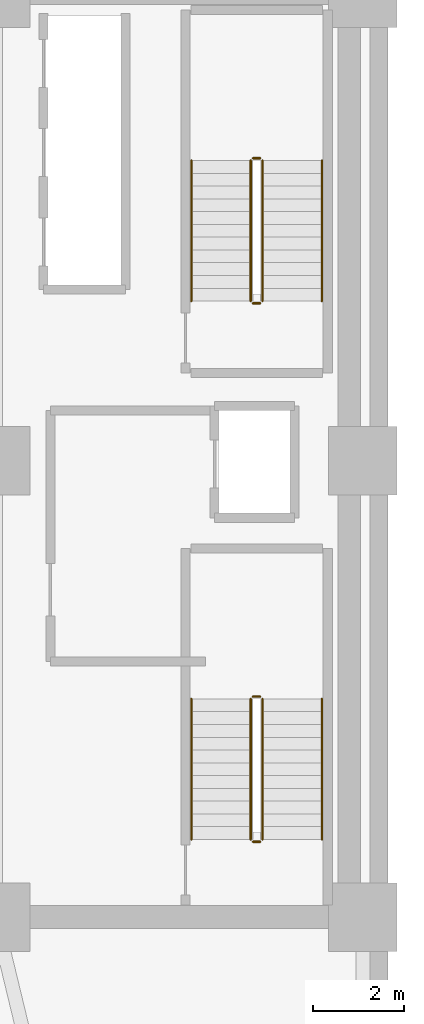
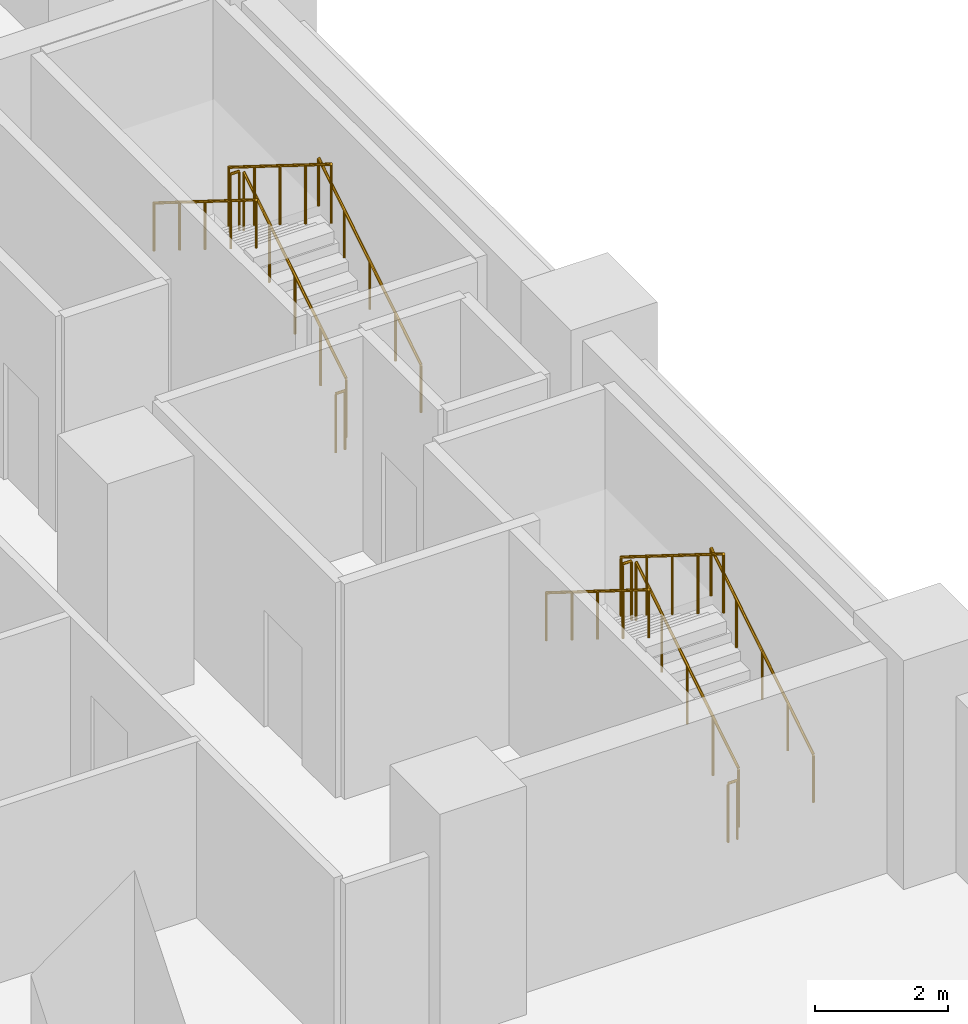
# One storey, part 13 of 13: 12 railings.
"""IFC4 building model written with IfcOpenShell, lengths in metres."""

from ifc_helpers import new_model, si_unit, direction, frame, origin, origin_2d, place, context, subcontext, project, spatial, circle, extrude, material, layer, layer_set, type_object, element, save


model = new_model("IFC4")

# Units and contexts
model_context = context("Model", 3, precision=1e-05, world=origin(), true_north=direction((0.0, 1.0)))
body_context = subcontext(model_context, "Body", "Model", "MODEL_VIEW")
ifc_project = project(units=[si_unit("LENGTHUNIT", "METRE"), si_unit("AREAUNIT", "SQUARE_METRE"), si_unit("VOLUMEUNIT", "CUBIC_METRE"), si_unit("PLANEANGLEUNIT", "RADIAN"), si_unit("MASSUNIT", "GRAM", prefix="KILO")], contexts=[model_context])

# Site, building, storey
site_placement = place(None, origin())
site = spatial("IfcSite", under=ifc_project, at=site_placement, CompositionType="ELEMENT")
building_placement = place(site_placement, origin())
building = spatial("IfcBuilding", under=site, at=building_placement, Name="Kuzgunbayir Cultural Tower", CompositionType="ELEMENT")
storey_placement = place(building_placement, frame((0.0, 0.0, 4.60009765625)))
storey = spatial("IfcBuildingStorey", under=building, at=storey_placement, Name="L01", CompositionType="ELEMENT", Elevation=4.60009765625)

# Railings
ifc_material_1 = material(Name="Brushed Stainless Steel", Category="steel")
ifc_layer_1 = layer(ifc_material_1, 0.050048828125)
ifc_layer_set_1 = layer_set([ifc_layer_1], Name="Brushed Stainless Steel")
railing_type_1 = type_object("IfcRailingType", Name="RLG-STAIR-HANDRAIL", PredefinedType="HANDRAIL", material=ifc_layer_set_1)
railing_1_placement = place(storey_placement, frame((71.75, 23.699951171875, 0.1748046875)))
element("IfcRailing", 1, at=railing_1_placement, inside=storey, type_object=railing_type_1, Name="L01 ST-3 stair handrail 1", PredefinedType="HANDRAIL", context=body_context, shape_type="SweptSolid", body=[
    extrude(circle(Radius=0.02392578125, at=origin_2d()), frame((0.0, 0.0, 0.8759765625), z_axis=(0.0, 0.847998304005, 0.529998940003), x_axis=(-1.0, 0.0, 0.0)), (0.0, 0.0, 1.0), 3.632080078125),
    extrude(circle(Radius=0.02099609375, at=origin_2d()), origin(), (0.0, 0.0, 1.0), 0.851806640625),
    extrude(circle(Radius=0.02099609375, at=origin_2d()), frame((0.0, 0.77001953125, 0.481201171875)), (0.0, 0.0, 1.0), 0.851806640625),
    extrude(circle(Radius=0.02099609375, at=origin_2d()), frame((0.0, 1.5400390625, 0.96240234375)), (0.0, 0.0, 1.0), 0.851806640625),
    extrude(circle(Radius=0.02099609375, at=origin_2d()), frame((0.0, 2.31005859375, 1.44384765625)), (0.0, 0.0, 1.0), 0.851806640625),
    extrude(circle(Radius=0.02099609375, at=origin_2d()), frame((0.0, 3.080078125, 1.925048828125)), (0.0, 0.0, 1.0), 0.851806640625),
])
railing_2_placement = place(storey_placement, frame((68.889892578125, 26.780029296875, 2.27490234375)))
element("IfcRailing", 2, at=railing_2_placement, inside=storey, type_object=railing_type_1, Name="L01 ST-3 stair handrail 2", PredefinedType="HANDRAIL", context=body_context, shape_type="SweptSolid", body=[
    extrude(circle(Radius=0.02392578125, at=origin_2d()), frame((0.0, 0.0, 0.8759765625), z_axis=(0.0, -0.847998304005, 0.529998940003), x_axis=(1.0, 0.0, 0.0)), (0.0, 0.0, 1.0), 3.632080078125),
    extrude(circle(Radius=0.02099609375, at=origin_2d()), origin(), (0.0, 0.0, 1.0), 0.851806640625),
    extrude(circle(Radius=0.02099609375, at=origin_2d()), frame((0.0, -0.77001953125, 0.481201171875)), (0.0, 0.0, 1.0), 0.851806640625),
    extrude(circle(Radius=0.02099609375, at=origin_2d()), frame((0.0, -1.5400390625, 0.96240234375)), (0.0, 0.0, 1.0), 0.851806640625),
    extrude(circle(Radius=0.02099609375, at=origin_2d()), frame((0.0, -2.31005859375, 1.44384765625)), (0.0, 0.0, 1.0), 0.851806640625),
    extrude(circle(Radius=0.02099609375, at=origin_2d()), frame((0.0, -3.080078125, 1.925048828125)), (0.0, 0.0, 1.0), 0.851806640625),
])
railing_3_placement = place(storey_placement, frame((71.75, 35.5, 0.1748046875)))
element("IfcRailing", 3, at=railing_3_placement, inside=storey, type_object=railing_type_1, Name="L01 ST-4 stair handrail 1", PredefinedType="HANDRAIL", context=body_context, shape_type="SweptSolid", body=[
    extrude(circle(Radius=0.02392578125, at=origin_2d()), frame((0.0, 0.0, 0.8759765625), z_axis=(0.0, 0.847998304005, 0.529998940003), x_axis=(-1.0, 0.0, 0.0)), (0.0, 0.0, 1.0), 3.632080078125),
    extrude(circle(Radius=0.02099609375, at=origin_2d()), origin(), (0.0, 0.0, 1.0), 0.851806640625),
    extrude(circle(Radius=0.02099609375, at=origin_2d()), frame((0.0, 0.77001953125, 0.481201171875)), (0.0, 0.0, 1.0), 0.851806640625),
    extrude(circle(Radius=0.02099609375, at=origin_2d()), frame((0.0, 1.5400390625, 0.96240234375)), (0.0, 0.0, 1.0), 0.851806640625),
    extrude(circle(Radius=0.02099609375, at=origin_2d()), frame((0.0, 2.31005859375, 1.44384765625)), (0.0, 0.0, 1.0), 0.851806640625),
    extrude(circle(Radius=0.02099609375, at=origin_2d()), frame((0.0, 3.080078125, 1.925048828125)), (0.0, 0.0, 1.0), 0.851806640625),
])
railing_4_placement = place(storey_placement, frame((68.889892578125, 38.580078125, 2.27490234375)))
element("IfcRailing", 4, at=railing_4_placement, inside=storey, type_object=railing_type_1, Name="L01 ST-4 stair handrail 2", PredefinedType="HANDRAIL", context=body_context, shape_type="SweptSolid", body=[
    extrude(circle(Radius=0.02392578125, at=origin_2d()), frame((0.0, 0.0, 0.8759765625), z_axis=(0.0, -0.847998304005, 0.529998940003), x_axis=(1.0, 0.0, 0.0)), (0.0, 0.0, 1.0), 3.632080078125),
    extrude(circle(Radius=0.02099609375, at=origin_2d()), origin(), (0.0, 0.0, 1.0), 0.851806640625),
    extrude(circle(Radius=0.02099609375, at=origin_2d()), frame((0.0, -0.77001953125, 0.481201171875)), (0.0, 0.0, 1.0), 0.851806640625),
    extrude(circle(Radius=0.02099609375, at=origin_2d()), frame((0.0, -1.5400390625, 0.96240234375)), (0.0, 0.0, 1.0), 0.851806640625),
    extrude(circle(Radius=0.02099609375, at=origin_2d()), frame((0.0, -2.31005859375, 1.44384765625)), (0.0, 0.0, 1.0), 0.851806640625),
    extrude(circle(Radius=0.02099609375, at=origin_2d()), frame((0.0, -3.080078125, 1.925048828125)), (0.0, 0.0, 1.0), 0.851806640625),
])
ifc_material_2 = material(Name="Painted Steel Balustrade", Category="steel")
ifc_layer_2 = layer(ifc_material_2, 0.06005859375)
ifc_layer_set_2 = layer_set([ifc_layer_2], Name="Painted Steel Balustrade")
railing_type_2 = type_object("IfcRailingType", Name="RLG-WELL-GUARD", PredefinedType="GUARDRAIL", material=ifc_layer_set_2)
railing_5_placement = place(storey_placement, frame((70.449951171875, 23.699951171875, 0.1748046875)))
element("IfcRailing", 5, at=railing_5_placement, inside=storey, type_object=railing_type_2, Name="L01 ST-3 stair guard 1", PredefinedType="GUARDRAIL", context=body_context, shape_type="SweptSolid", body=[
    extrude(circle(Radius=0.02392578125, at=origin_2d()), frame((0.0, 0.0, 1.076171875), z_axis=(0.0, 0.847998304005, 0.529998940003), x_axis=(-1.0, 0.0, 0.0)), (0.0, 0.0, 1.0), 3.632080078125),
    extrude(circle(Radius=0.02099609375, at=origin_2d()), origin(), (0.0, 0.0, 1.0), 1.052001953125),
    extrude(circle(Radius=0.02099609375, at=origin_2d()), frame((0.0, 0.77001953125, 0.481201171875)), (0.0, 0.0, 1.0), 1.052001953125),
    extrude(circle(Radius=0.02099609375, at=origin_2d()), frame((0.0, 1.5400390625, 0.96240234375)), (0.0, 0.0, 1.0), 1.052001953125),
    extrude(circle(Radius=0.02099609375, at=origin_2d()), frame((0.0, 2.31005859375, 1.44384765625)), (0.0, 0.0, 1.0), 1.052001953125),
    extrude(circle(Radius=0.02099609375, at=origin_2d()), frame((0.0, 3.080078125, 1.925048828125)), (0.0, 0.0, 1.0), 1.052001953125),
])
railing_6_placement = place(storey_placement, frame((70.39990234375, 26.830078125, 2.099853515625)))
element("IfcRailing", 6, at=railing_6_placement, inside=storey, type_object=railing_type_2, Name="L01 ST-3 stair guard 2", PredefinedType="GUARDRAIL", context=body_context, shape_type="SweptSolid", body=[
    extrude(circle(Radius=0.02392578125, at=origin_2d()), frame((0.0, 0.0, 1.076171875), z_axis=(-1.0, 0.0, 0.0), x_axis=(0.0, -1.0, 0.0)), (0.0, 0.0, 1.0), 0.159912109375),
    extrude(circle(Radius=0.02099609375, at=origin_2d()), origin(), (0.0, 0.0, 1.0), 1.052001953125),
    extrude(circle(Radius=0.02099609375, at=origin_2d()), frame((-0.159912109375, 0.0, 0.0)), (0.0, 0.0, 1.0), 1.052001953125),
])
railing_7_placement = place(storey_placement, frame((70.18994140625, 26.780029296875, 2.27490234375)))
element("IfcRailing", 7, at=railing_7_placement, inside=storey, type_object=railing_type_2, Name="L01 ST-3 stair guard 3", PredefinedType="GUARDRAIL", context=body_context, shape_type="SweptSolid", body=[
    extrude(circle(Radius=0.02392578125, at=origin_2d()), frame((0.0, 0.0, 1.076171875), z_axis=(0.0, -0.847998304005, 0.529998940003), x_axis=(1.0, 0.0, 0.0)), (0.0, 0.0, 1.0), 3.632080078125),
    extrude(circle(Radius=0.02099609375, at=origin_2d()), origin(), (0.0, 0.0, 1.0), 1.052001953125),
    extrude(circle(Radius=0.02099609375, at=origin_2d()), frame((0.0, -0.77001953125, 0.481201171875)), (0.0, 0.0, 1.0), 1.052001953125),
    extrude(circle(Radius=0.02099609375, at=origin_2d()), frame((0.0, -1.5400390625, 0.96240234375)), (0.0, 0.0, 1.0), 1.052001953125),
    extrude(circle(Radius=0.02099609375, at=origin_2d()), frame((0.0, -2.31005859375, 1.44384765625)), (0.0, 0.0, 1.0), 1.052001953125),
    extrude(circle(Radius=0.02099609375, at=origin_2d()), frame((0.0, -3.080078125, 1.925048828125)), (0.0, 0.0, 1.0), 1.052001953125),
])
railing_8_placement = place(storey_placement, frame((70.39990234375, 23.64990234375, 0.0)))
element("IfcRailing", 8, at=railing_8_placement, inside=storey, type_object=railing_type_2, Name="L01 ST-3 stair guard 4", PredefinedType="GUARDRAIL", context=body_context, shape_type="SweptSolid", body=[
    extrude(circle(Radius=0.02392578125, at=origin_2d()), frame((0.0, 0.0, 1.076171875), z_axis=(-1.0, 0.0, 0.0), x_axis=(0.0, -1.0, 0.0)), (0.0, 0.0, 1.0), 0.159912109375),
    extrude(circle(Radius=0.02099609375, at=origin_2d()), origin(), (0.0, 0.0, 1.0), 1.052001953125),
    extrude(circle(Radius=0.02099609375, at=origin_2d()), frame((-0.159912109375, 0.0, 0.0)), (0.0, 0.0, 1.0), 1.052001953125),
])
railing_9_placement = place(storey_placement, frame((70.449951171875, 35.5, 0.1748046875)))
element("IfcRailing", 9, at=railing_9_placement, inside=storey, type_object=railing_type_2, Name="L01 ST-4 stair guard 1", PredefinedType="GUARDRAIL", context=body_context, shape_type="SweptSolid", body=[
    extrude(circle(Radius=0.02392578125, at=origin_2d()), frame((0.0, 0.0, 1.076171875), z_axis=(0.0, 0.847998304005, 0.529998940003), x_axis=(-1.0, 0.0, 0.0)), (0.0, 0.0, 1.0), 3.632080078125),
    extrude(circle(Radius=0.02099609375, at=origin_2d()), origin(), (0.0, 0.0, 1.0), 1.052001953125),
    extrude(circle(Radius=0.02099609375, at=origin_2d()), frame((0.0, 0.77001953125, 0.481201171875)), (0.0, 0.0, 1.0), 1.052001953125),
    extrude(circle(Radius=0.02099609375, at=origin_2d()), frame((0.0, 1.5400390625, 0.96240234375)), (0.0, 0.0, 1.0), 1.052001953125),
    extrude(circle(Radius=0.02099609375, at=origin_2d()), frame((0.0, 2.31005859375, 1.44384765625)), (0.0, 0.0, 1.0), 1.052001953125),
    extrude(circle(Radius=0.02099609375, at=origin_2d()), frame((0.0, 3.080078125, 1.925048828125)), (0.0, 0.0, 1.0), 1.052001953125),
])
railing_10_placement = place(storey_placement, frame((70.39990234375, 38.6298828125, 2.099853515625)))
element("IfcRailing", 10, at=railing_10_placement, inside=storey, type_object=railing_type_2, Name="L01 ST-4 stair guard 2", PredefinedType="GUARDRAIL", context=body_context, shape_type="SweptSolid", body=[
    extrude(circle(Radius=0.02392578125, at=origin_2d()), frame((0.0, 0.0, 1.076171875), z_axis=(-1.0, 0.0, 0.0), x_axis=(0.0, -1.0, 0.0)), (0.0, 0.0, 1.0), 0.159912109375),
    extrude(circle(Radius=0.02099609375, at=origin_2d()), origin(), (0.0, 0.0, 1.0), 1.052001953125),
    extrude(circle(Radius=0.02099609375, at=origin_2d()), frame((-0.159912109375, 0.0, 0.0)), (0.0, 0.0, 1.0), 1.052001953125),
])
railing_11_placement = place(storey_placement, frame((70.18994140625, 38.580078125, 2.27490234375)))
element("IfcRailing", 11, at=railing_11_placement, inside=storey, type_object=railing_type_2, Name="L01 ST-4 stair guard 3", PredefinedType="GUARDRAIL", context=body_context, shape_type="SweptSolid", body=[
    extrude(circle(Radius=0.02392578125, at=origin_2d()), frame((0.0, 0.0, 1.076171875), z_axis=(0.0, -0.847998304005, 0.529998940003), x_axis=(1.0, 0.0, 0.0)), (0.0, 0.0, 1.0), 3.632080078125),
    extrude(circle(Radius=0.02099609375, at=origin_2d()), origin(), (0.0, 0.0, 1.0), 1.052001953125),
    extrude(circle(Radius=0.02099609375, at=origin_2d()), frame((0.0, -0.77001953125, 0.481201171875)), (0.0, 0.0, 1.0), 1.052001953125),
    extrude(circle(Radius=0.02099609375, at=origin_2d()), frame((0.0, -1.5400390625, 0.96240234375)), (0.0, 0.0, 1.0), 1.052001953125),
    extrude(circle(Radius=0.02099609375, at=origin_2d()), frame((0.0, -2.31005859375, 1.44384765625)), (0.0, 0.0, 1.0), 1.052001953125),
    extrude(circle(Radius=0.02099609375, at=origin_2d()), frame((0.0, -3.080078125, 1.925048828125)), (0.0, 0.0, 1.0), 1.052001953125),
])
railing_12_placement = place(storey_placement, frame((70.39990234375, 35.449951171875, 0.0)))
element("IfcRailing", 12, at=railing_12_placement, inside=storey, type_object=railing_type_2, Name="L01 ST-4 stair guard 4", PredefinedType="GUARDRAIL", context=body_context, shape_type="SweptSolid", body=[
    extrude(circle(Radius=0.02392578125, at=origin_2d()), frame((0.0, 0.0, 1.076171875), z_axis=(-1.0, 0.0, 0.0), x_axis=(0.0, -1.0, 0.0)), (0.0, 0.0, 1.0), 0.159912109375),
    extrude(circle(Radius=0.02099609375, at=origin_2d()), origin(), (0.0, 0.0, 1.0), 1.052001953125),
    extrude(circle(Radius=0.02099609375, at=origin_2d()), frame((-0.159912109375, 0.0, 0.0)), (0.0, 0.0, 1.0), 1.052001953125),
])

save(model, "model.ifc")
